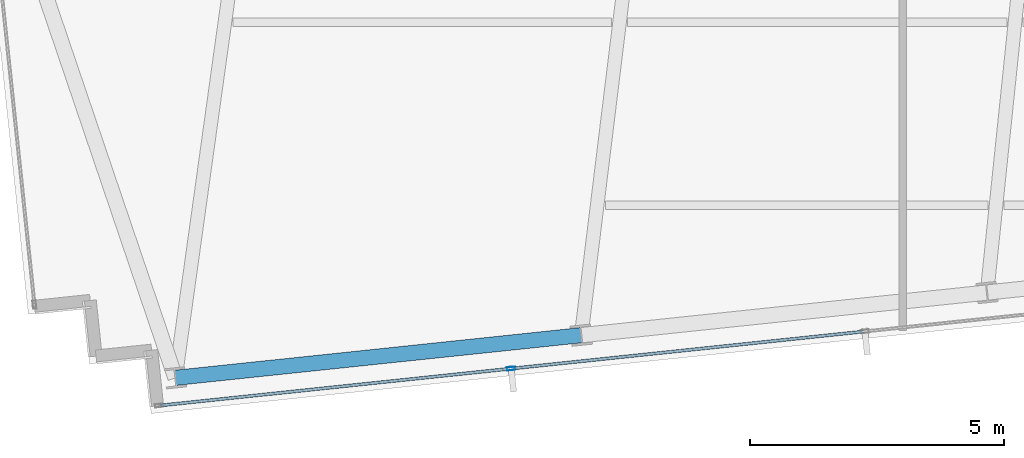
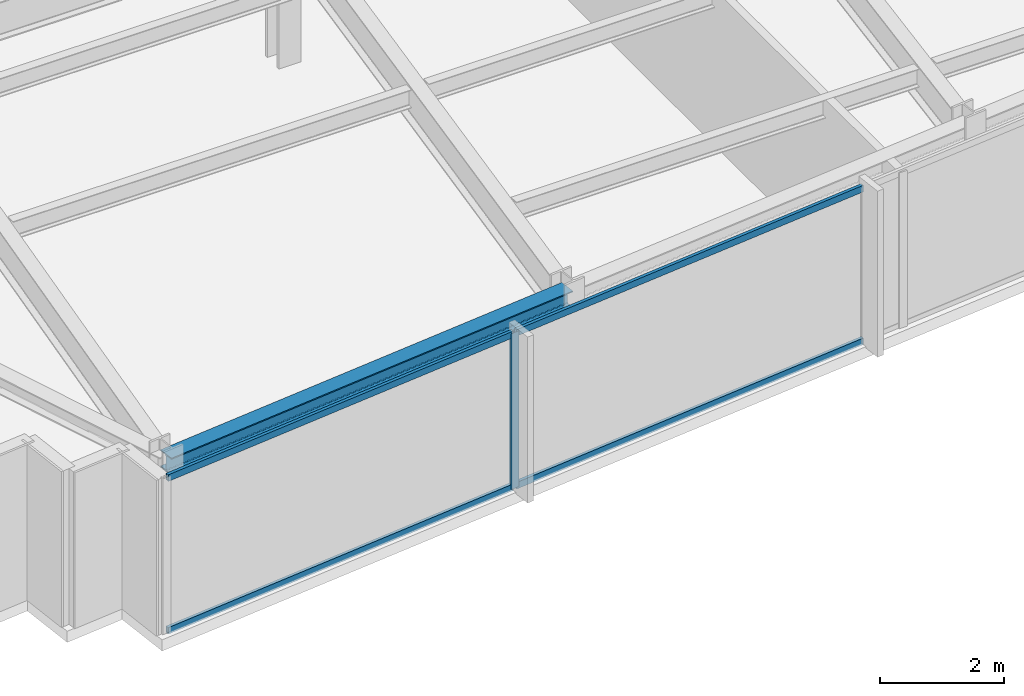
# One storey, part 3 of 32: 5 members, 1 beam, 1 element without a shape of its own.
"""IFC4 building model written with IfcOpenShell, lengths in metres."""

from ifc_helpers import new_model, si_unit, direction, frame, origin, origin_2d, place, context, subcontext, project, spatial, hollow_rectangle, i_section, extrude, material, material_profile, profile_set, type_object, element, aggregate, save


model = new_model("IFC4")

# Units and contexts
model_context = context("Model", 3, precision=1e-05, world=origin(), true_north=direction((0.0, 1.0)))
body_context = subcontext(model_context, "Body", "Model", "MODEL_VIEW")
ifc_project = project(units=[si_unit("LENGTHUNIT", "METRE"), si_unit("AREAUNIT", "SQUARE_METRE"), si_unit("VOLUMEUNIT", "CUBIC_METRE"), si_unit("PLANEANGLEUNIT", "RADIAN"), si_unit("MASSUNIT", "GRAM", prefix="KILO")], contexts=[model_context])

# Site, building, storey
site_placement = place(None, origin())
site = spatial("IfcSite", under=ifc_project, at=site_placement, CompositionType="ELEMENT")
building_placement = place(site_placement, origin())
building = spatial("IfcBuilding", under=site, at=building_placement, Name="Yelkora Congress Tower", CompositionType="ELEMENT")
storey_placement = place(building_placement, frame((0.0, 0.0, 207.800048828125)))
storey = spatial("IfcBuildingStorey", under=building, at=storey_placement, Name="L57", CompositionType="ELEMENT", Elevation=207.800048828125)

# Beam
ifc_material_1 = material(Name="Steel S355J2", Category="steel")
ifc_material_profile_1 = material_profile(ifc_material_1, i_section(OverallWidth=0.300048828125, OverallDepth=0.340087890625, WebThickness=0.011962890625, FlangeThickness=0.021484375, FilletRadius=0.027099609375, at=origin_2d()), Name="HEB 340")
ifc_profile_set_1 = profile_set([ifc_material_profile_1], Name="Steel S355J2")
beam_type = type_object("IfcBeamType", Name="BM-SPAN-HEB340", PredefinedType="SPANDREL", material=ifc_profile_set_1)
beam_placement = place(storey_placement, frame((21.299072265625, 12.678466796875, 2.909912109375), z_axis=(0.994520097542, 0.104545567032, 0.0), x_axis=(-0.104545567032, 0.994520097542, 0.0)))
element("IfcBeam", 1, at=beam_placement, inside=storey, type_object=beam_type, Name="L57 Perimeter Beam 3", PredefinedType="SPANDREL", context=body_context, shape_type="SweptSolid", body=[
    extrude(i_section(OverallWidth=0.300048828125, OverallDepth=0.340087890625, WebThickness=0.011962890625, FlangeThickness=0.021484375, FilletRadius=0.027099609375, at=origin_2d()), origin(), (0.0, 0.0, 1.0), 8.033203125),
])

# Curtain wall, members
ifc_material_2 = material(Name="Anodised aluminium and insulated glass", Category="aluminium")
curtain_wall_type = type_object("IfcCurtainWallType", Name="CW-SYS-B4", PredefinedType="NOTDEFINED", material=ifc_material_2)
curtain_wall_placement = place(storey_placement, origin())
curtain_wall = element("IfcCurtainWall", 2, at=curtain_wall_placement, inside=storey, type_object=curtain_wall_type, Name="L57 Unitised Curtain Wall 20", PredefinedType="NOTDEFINED")
ifc_material_3 = material(Name="Anodised aluminium 6063-T6", Category="aluminium")
ifc_material_profile_2 = material_profile(ifc_material_3, hollow_rectangle(XDim=0.06494140625, YDim=0.159912109375, WallThickness=0.00390625, at=origin_2d()), Name="ALU 65x160x4")
ifc_profile_set_2 = profile_set([ifc_material_profile_2], Name="Anodised aluminium 6063-T6")
member_type_1 = type_object("IfcMemberType", Name="MEM-ML-B4", PredefinedType="MULLION", material=ifc_profile_set_2)
member_1_placement = place(storey_placement, frame((27.9091796875, 12.860595703125, 0.0), z_axis=(0.0, 0.0, 1.0), x_axis=(0.104526664994, -0.994522084373, 0.0)))
member_1 = element("IfcMember", 3, at=member_1_placement, type_object=member_type_1, Name="CW-B4 mullion 7", PredefinedType="MULLION", context=body_context, shape_type="SweptSolid", body=[
    extrude(hollow_rectangle(XDim=0.06494140625, YDim=0.159912109375, WallThickness=0.00390625, at=origin_2d()), origin(), (0.0, 0.0, 1.0), 3.079833984375),
])
ifc_material_profile_3 = material_profile(ifc_material_3, hollow_rectangle(XDim=0.06005859375, YDim=0.1298828125, WallThickness=0.00390625, at=origin_2d()), Name="ALU 60x130x4")
ifc_profile_set_3 = profile_set([ifc_material_profile_3], Name="Anodised aluminium 6063-T6")
member_type_2 = type_object("IfcMemberType", Name="MEM-TR-B4", PredefinedType="USERDEFINED", material=ifc_profile_set_3)
member_2_placement = place(storey_placement, frame((34.84130859375, 13.589111328125, 0.030029296875), z_axis=(-0.994519904787, -0.104547400648, 0.0), x_axis=(0.104547400648, -0.994519904787, 0.0)))
member_2 = element("IfcMember", 4, at=member_2_placement, type_object=member_type_2, Name="CW-B4 transom 6.1", ObjectType="TRANSOM", PredefinedType="USERDEFINED", context=body_context, shape_type="SweptSolid", body=[
    extrude(hollow_rectangle(XDim=0.06005859375, YDim=0.1298828125, WallThickness=0.00390625, at=origin_2d()), origin(), (0.0, 0.0, 1.0), 6.93798828125),
])
member_3_placement = place(storey_placement, frame((34.84130859375, 13.589111328125, 3.050048828125), z_axis=(-0.994519904787, -0.104547400648, 0.0), x_axis=(0.104547400648, -0.994519904787, 0.0)))
member_3 = element("IfcMember", 5, at=member_3_placement, type_object=member_type_2, Name="CW-B4 transom 6.2", ObjectType="TRANSOM", PredefinedType="USERDEFINED", context=body_context, shape_type="SweptSolid", body=[
    extrude(hollow_rectangle(XDim=0.06005859375, YDim=0.1298828125, WallThickness=0.00390625, at=origin_2d()), origin(), (0.0, 0.0, 1.0), 6.93798828125),
])
member_4_placement = place(storey_placement, frame((27.876708984375, 12.857177734375, 0.030029296875), z_axis=(-0.994519973075, -0.104546751053, 0.0), x_axis=(0.104546751053, -0.994519973075, 0.0)))
member_4 = element("IfcMember", 6, at=member_4_placement, type_object=member_type_2, Name="CW-B4 transom 7.1", ObjectType="TRANSOM", PredefinedType="USERDEFINED", context=body_context, shape_type="SweptSolid", body=[
    extrude(hollow_rectangle(XDim=0.06005859375, YDim=0.1298828125, WallThickness=0.00390625, at=origin_2d()), origin(), (0.0, 0.0, 1.0), 6.9052734375),
])
member_5_placement = place(storey_placement, frame((27.876708984375, 12.857177734375, 3.050048828125), z_axis=(-0.994519973075, -0.104546751053, 0.0), x_axis=(0.104546751053, -0.994519973075, 0.0)))
member_5 = element("IfcMember", 7, at=member_5_placement, type_object=member_type_2, Name="CW-B4 transom 7.2", ObjectType="TRANSOM", PredefinedType="USERDEFINED", context=body_context, shape_type="SweptSolid", body=[
    extrude(hollow_rectangle(XDim=0.06005859375, YDim=0.1298828125, WallThickness=0.00390625, at=origin_2d()), origin(), (0.0, 0.0, 1.0), 6.9052734375),
])
aggregate(curtain_wall, [member_1, member_2, member_3, member_4, member_5])

save(model, "model.ifc")
